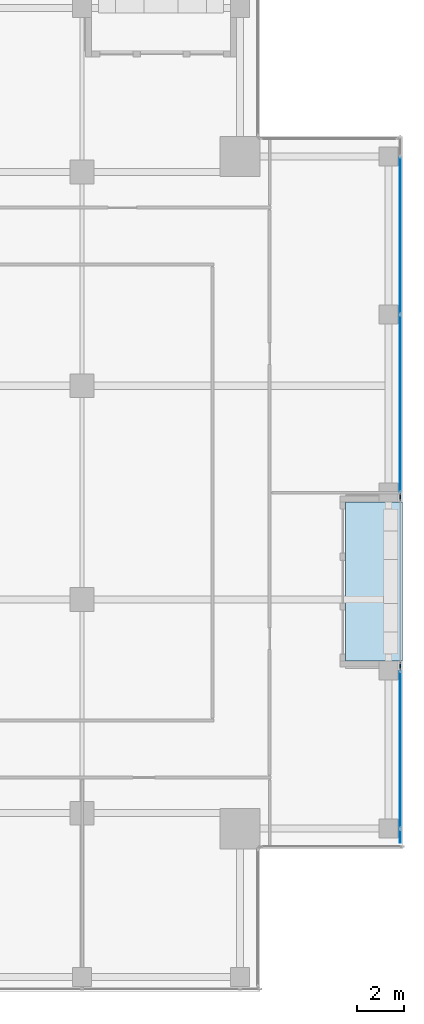
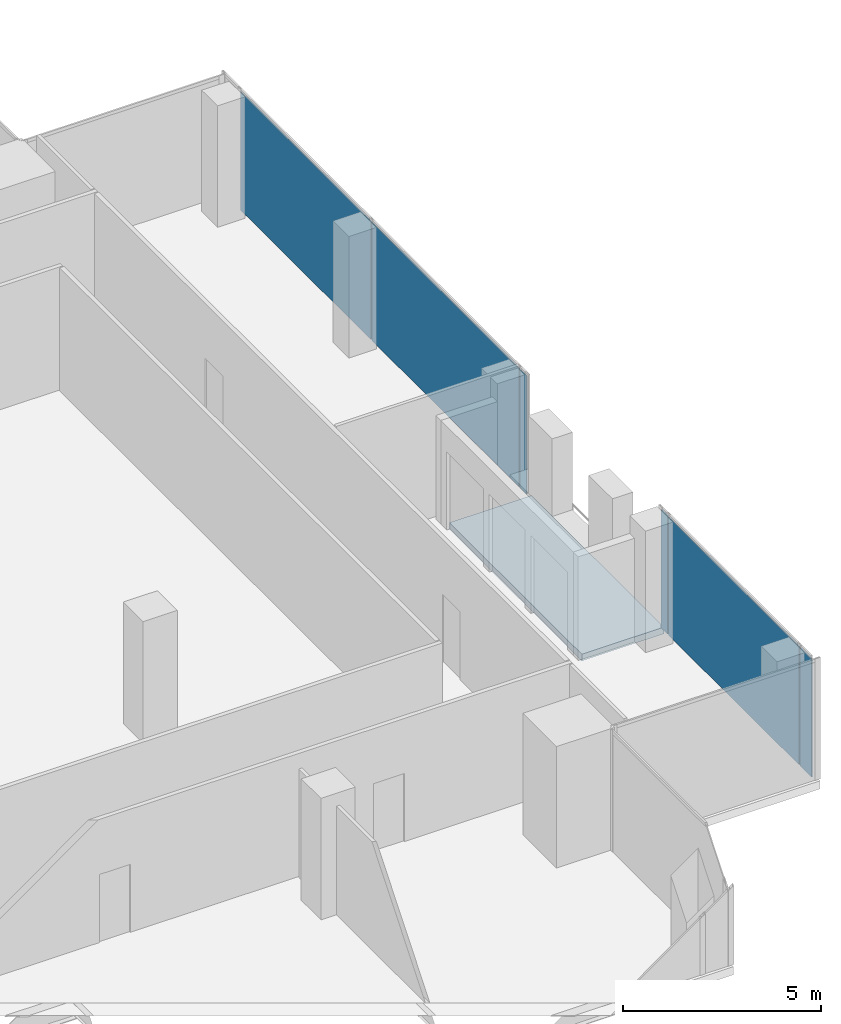
# One storey, part 22 of 29: 6 plates, 1 slab, 2 elements without a shape of their own.
"""IFC4 building model written with IfcOpenShell, lengths in metres."""

from ifc_helpers import new_model, si_unit, direction, frame, origin, origin_2d, place, context, subcontext, project, spatial, polyline, rectangle, outline, extrude, source, transform, mapped, material, layer, layer_set, type_object, element, aggregate, save


model = new_model("IFC4")

# Units and contexts
model_context = context("Model", 3, precision=1e-05, world=origin(), true_north=direction((0.0, 1.0)))
body_context = subcontext(model_context, "Body", "Model", "MODEL_VIEW")
ifc_project = project(units=[si_unit("LENGTHUNIT", "METRE"), si_unit("AREAUNIT", "SQUARE_METRE"), si_unit("VOLUMEUNIT", "CUBIC_METRE"), si_unit("PLANEANGLEUNIT", "RADIAN"), si_unit("MASSUNIT", "GRAM", prefix="KILO")], contexts=[model_context])

# Site, building, storey
site_placement = place(None, origin())
site = spatial("IfcSite", under=ifc_project, at=site_placement, CompositionType="ELEMENT")
building_placement = place(site_placement, origin())
building = spatial("IfcBuilding", under=site, at=building_placement, Name="Khomas Fold Tower", CompositionType="ELEMENT")
storey_placement = place(building_placement, frame((0.0, 0.0, 322.199951171875)))
storey = spatial("IfcBuildingStorey", under=building, at=storey_placement, Name="L73", CompositionType="ELEMENT", Elevation=322.199951171875)

# Curtain wall, plates
ifc_material_1 = material(Name="Aluminium framed double glazing", Category="aluminium")
curtain_wall_type = type_object("IfcCurtainWallType", Name="SK-Unitised clear-glass wall, upper floors CW3", PredefinedType="NOTDEFINED", material=ifc_material_1)
curtain_wall_1_placement = place(storey_placement, origin())
curtain_wall_1 = element("IfcCurtainWall", 1, at=curtain_wall_1_placement, inside=storey, type_object=curtain_wall_type, Name="CW3 run L73 03-0", PredefinedType="NOTDEFINED")
ifc_material_2 = material(Name="Clear double glazed unit")
ifc_layer_1 = layer(ifc_material_2, 0.028076171875)
ifc_layer_set_1 = layer_set([ifc_layer_1], Name="Clear double glazed unit")
plate_type = type_object("IfcPlateType", Name="SK-Unitised clear-glass wall, upper floors glass panel CW3-P", PredefinedType="CURTAIN_PANEL", material=ifc_layer_set_1)
shared_shape_1 = source(origin(), body_context, "Body", "SweptSolid", [
    extrude(rectangle(XDim=0.574951171875, YDim=0.028076171875, at=origin_2d()), origin(), (0.0, 0.0, 1.0), 3.64990234375),
])
plate_1_placement = place(storey_placement, frame((47.89990234375, 12.53759765625, 0.0), z_axis=(0.0, 0.0, 1.0), x_axis=(0.0, 1.0, 0.0)))
plate_1 = element("IfcPlate", 2, at=plate_1_placement, type_object=plate_type, Name="CW3 glass panel 1", PredefinedType="CURTAIN_PANEL", context=body_context, shape_type="MappedRepresentation", body=[
    mapped(shared_shape_1, transform((0.0, 0.0, 0.0))),
])
shared_shape_2 = source(origin(), body_context, "Body", "SweptSolid", [
    extrude(rectangle(XDim=6.60009765625, YDim=0.028076171875, at=origin_2d()), origin(), (0.0, 0.0, 1.0), 3.64990234375),
])
plate_2_placement = place(storey_placement, frame((47.89990234375, 16.175048828125, 0.0), z_axis=(0.0, 0.0, 1.0), x_axis=(0.0, 1.0, 0.0)))
plate_2 = element("IfcPlate", 3, at=plate_2_placement, type_object=plate_type, Name="CW3 glass panel 2", PredefinedType="CURTAIN_PANEL", context=body_context, shape_type="MappedRepresentation", body=[
    mapped(shared_shape_2, transform((0.0, 0.0, 0.0))),
])

curtain_wall_2_placement = place(storey_placement, origin())
curtain_wall_2 = element("IfcCurtainWall", 4, at=curtain_wall_2_placement, inside=storey, type_object=curtain_wall_type, Name="CW3 run L73 03-1", PredefinedType="NOTDEFINED")
plate_3_placement = place(storey_placement, frame((47.89990234375, 37.824951171875, 0.0), z_axis=(0.0, 0.0, 1.0), x_axis=(0.0, 1.0, 0.0)))
plate_3 = element("IfcPlate", 5, at=plate_3_placement, type_object=plate_type, Name="CW3 glass panel 3", PredefinedType="CURTAIN_PANEL", context=body_context, shape_type="MappedRepresentation", body=[
    mapped(shared_shape_2, transform((0.0, 0.0, 0.0))),
])
shared_shape_3 = source(origin(), body_context, "Body", "SweptSolid", [
    extrude(rectangle(XDim=7.449951171875, YDim=0.028076171875, at=origin_2d()), origin(), (0.0, 0.0, 1.0), 3.64990234375),
])
plate_4_placement = place(storey_placement, frame((47.89990234375, 30.75, 0.0), z_axis=(0.0, 0.0, 1.0), x_axis=(0.0, 1.0, 0.0)))
plate_4 = element("IfcPlate", 6, at=plate_4_placement, type_object=plate_type, Name="CW3 glass panel 2", PredefinedType="CURTAIN_PANEL", context=body_context, shape_type="MappedRepresentation", body=[
    mapped(shared_shape_3, transform((0.0, 0.0, 0.0))),
])

# Plate
shared_shape_4 = source(origin(), body_context, "Body", "SweptSolid", [
    extrude(rectangle(XDim=0.324951171875, YDim=0.028076171875, at=origin_2d()), origin(), (0.0, 0.0, 1.0), 3.64990234375),
])
plate_5_placement = place(storey_placement, frame((47.89990234375, 19.6875, 0.0), z_axis=(0.0, 0.0, 1.0), x_axis=(0.0, 1.0, 0.0)))
plate_5 = element("IfcPlate", 7, at=plate_5_placement, type_object=plate_type, Name="CW3 glass panel 3", PredefinedType="CURTAIN_PANEL", context=body_context, shape_type="MappedRepresentation", body=[
    mapped(shared_shape_4, transform((0.0, 0.0, 0.0))),
])

aggregate(curtain_wall_1, [plate_1, plate_2, plate_5])

plate_6_placement = place(storey_placement, frame((47.89990234375, 26.8125, 0.0), z_axis=(0.0, 0.0, 1.0), x_axis=(0.0, 1.0, 0.0)))
plate_6 = element("IfcPlate", 8, at=plate_6_placement, type_object=plate_type, Name="CW3 glass panel 1", PredefinedType="CURTAIN_PANEL", context=body_context, shape_type="MappedRepresentation", body=[
    mapped(shared_shape_4, transform((0.0, 0.0, 0.0))),
])

aggregate(curtain_wall_2, [plate_6, plate_4, plate_3])

# Slab
ifc_material_3 = material(Name="Concrete C40/50", Category="concrete")
ifc_layer_2 = layer(ifc_material_3, 0.205078125)
ifc_layer_set_2 = layer_set([ifc_layer_2], Name="Concrete C40/50")
slab_type = type_object("IfcSlabType", Name="BL-Balcony deck 205", PredefinedType="FLOOR", material=ifc_layer_set_2)
shared_shape_5 = source(origin(), body_context, "Body", "SweptSolid", [
    extrude(outline(polyline([(45.60009765625, 19.89990234375), (48.0, 19.89990234375), (48.0, 26.60009765625), (45.60009765625, 26.60009765625), (45.60009765625, 19.89990234375)])), origin(), (0.0, 0.0, 1.0), 0.205078125),
])
slab_placement = place(storey_placement, frame((0.0, 0.0, -0.25)))
element("IfcSlab", 9, at=slab_placement, inside=storey, type_object=slab_type, Name="Balcony deck BAL-L73-E2", PredefinedType="FLOOR", context=body_context, shape_type="MappedRepresentation", body=[
    mapped(shared_shape_5, transform((0.0, 0.0, 0.0))),
])

save(model, "model.ifc")
